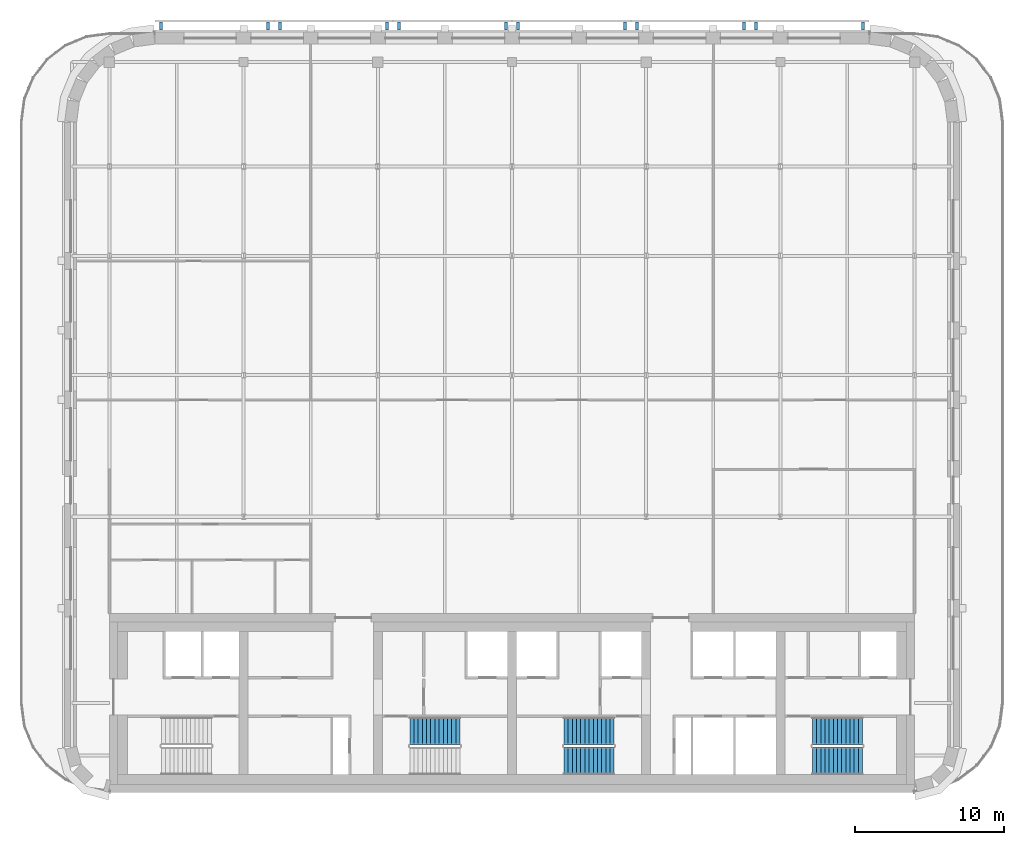
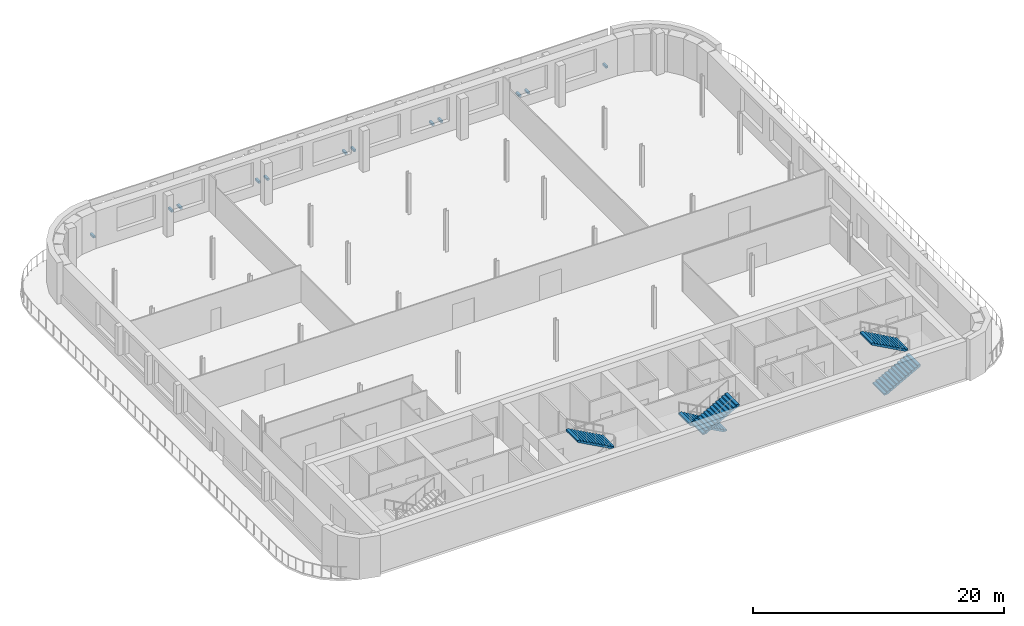
# One storey, part 10 of 13: 12 discrete accessories, 5 stair flights, 3 elements without a shape of their own.
"""IFC4 building model written with IfcOpenShell, lengths in metres."""

from ifc_helpers import new_model, si_unit, direction, frame, origin, origin_2d, place, context, subcontext, project, spatial, polyline, rectangle, outline, extrude, material, type_object, element, aggregate, save


model = new_model("IFC4")

# Units and contexts
model_context = context("Model", 3, precision=1e-05, world=origin(), true_north=direction((0.0, 1.0)))
body_context = subcontext(model_context, "Body", "Model", "MODEL_VIEW")
ifc_project = project(units=[si_unit("LENGTHUNIT", "METRE"), si_unit("AREAUNIT", "SQUARE_METRE"), si_unit("VOLUMEUNIT", "CUBIC_METRE"), si_unit("PLANEANGLEUNIT", "RADIAN"), si_unit("MASSUNIT", "GRAM", prefix="KILO")], contexts=[model_context])

# Site, building, storey
site_placement = place(None, origin())
site = spatial("IfcSite", under=ifc_project, at=site_placement, CompositionType="ELEMENT")
building_placement = place(site_placement, origin())
building = spatial("IfcBuilding", under=site, at=building_placement, Name="Zellij Exchange Tower", CompositionType="ELEMENT")
storey_placement = place(building_placement, frame((0.0, 0.0, 292.5)))
storey = spatial("IfcBuildingStorey", under=building, at=storey_placement, Name="L69", CompositionType="ELEMENT", Elevation=292.5)

# Stair, stair flight
ifc_material_1 = material(Name="Concrete C40/50", Category="concrete")
stair_type = type_object("IfcStairType", Name="CORE-ST exit stair 1850 wide", PredefinedType="HALF_TURN_STAIR", material=ifc_material_1)
stair_1_placement = place(storey_placement, origin())
stair_1 = element("IfcStair", 1, at=stair_1_placement, inside=storey, type_object=stair_type, Name="L69 exit stair ST2", PredefinedType="HALF_TURN_STAIR")
stair_flight_type = type_object("IfcStairFlightType", Name="CORE-SF flight 1850 riser 153.8 going 280", PredefinedType="STRAIGHT", material=ifc_material_1)
stair_flight_1_placement = place(storey_placement, frame((-3.489990234375, -9.875, 2.0), z_axis=(0.0, 0.0, 1.0), x_axis=(-1.0, 0.0, 0.0)))
stair_flight_1 = element("IfcStairFlight", 2, at=stair_flight_1_placement, type_object=stair_flight_type, Name="ST2 flight 2", NumberOfRisers=13, NumberOfTreads=12, PredefinedType="STRAIGHT", RiserHeight=0.153846154, TreadLength=0.28, context=body_context, shape_type="SweptSolid", body=[
    extrude(outline(polyline([(0.0, 0.0), (0.0, 0.15380859375), (0.280029296875, 0.15380859375), (0.280029296875, 0.3076171875), (0.56005859375, 0.3076171875), (0.56005859375, 0.46142578125), (0.840087890625, 0.46142578125), (0.840087890625, 0.615478515625), (1.1201171875, 0.615478515625), (1.1201171875, 0.769287109375), (1.39990234375, 0.769287109375), (1.39990234375, 0.923095703125), (1.679931640625, 0.923095703125), (1.679931640625, 1.076904296875), (1.9599609375, 1.076904296875), (1.9599609375, 1.230712890625), (2.239990234375, 1.230712890625), (2.239990234375, 1.384521484375), (2.52001953125, 1.384521484375), (2.52001953125, 1.53857421875), (2.800048828125, 1.53857421875), (2.800048828125, 1.6923828125), (3.080078125, 1.6923828125), (3.080078125, 1.84619140625), (3.360107421875, 1.84619140625), (3.360107421875, 2.0), (3.360107421875, 1.675048828125), (0.311279296875, 0.0), (0.0, 0.0)])), frame((0.0, 0.925048828125, 0.0), z_axis=(0.0, -1.0, 0.0), x_axis=(1.0, 0.0, 0.0)), (0.0, 0.0, 1.0), 1.85009765625),
])
aggregate(stair_1, [stair_flight_1])

# Stair, stair flights
stair_2_placement = place(storey_placement, origin())
stair_2 = element("IfcStair", 3, at=stair_2_placement, inside=storey, type_object=stair_type, Name="L69 exit stair ST3", PredefinedType="HALF_TURN_STAIR")
stair_flight_2_placement = place(storey_placement, frame((6.85009765625, -9.875, 0.0), z_axis=(0.0, 0.0, 1.0), x_axis=(-1.0, 0.0, 0.0)))
stair_flight_2 = element("IfcStairFlight", 4, at=stair_flight_2_placement, type_object=stair_flight_type, Name="ST3 flight 1", NumberOfRisers=13, NumberOfTreads=12, PredefinedType="STRAIGHT", RiserHeight=0.153846154, TreadLength=0.28, context=body_context, shape_type="SweptSolid", body=[
    extrude(outline(polyline([(0.0, 0.0), (0.0, 0.15380859375), (0.280029296875, 0.15380859375), (0.280029296875, 0.3076171875), (0.56005859375, 0.3076171875), (0.56005859375, 0.46142578125), (0.840087890625, 0.46142578125), (0.840087890625, 0.615478515625), (1.1201171875, 0.615478515625), (1.1201171875, 0.769287109375), (1.39990234375, 0.769287109375), (1.39990234375, 0.923095703125), (1.679931640625, 0.923095703125), (1.679931640625, 1.076904296875), (1.9599609375, 1.076904296875), (1.9599609375, 1.230712890625), (2.239990234375, 1.230712890625), (2.239990234375, 1.384521484375), (2.52001953125, 1.384521484375), (2.52001953125, 1.53857421875), (2.800048828125, 1.53857421875), (2.800048828125, 1.6923828125), (3.080078125, 1.6923828125), (3.080078125, 1.84619140625), (3.360107421875, 1.84619140625), (3.360107421875, 2.0), (3.360107421875, 1.675048828125), (0.311279296875, 0.0), (0.0, 0.0)])), frame((0.0, 0.925048828125, 0.0), z_axis=(0.0, -1.0, 0.0), x_axis=(1.0, 0.0, 0.0)), (0.0, 0.0, 1.0), 1.85009765625),
])
stair_flight_3_placement = place(storey_placement, frame((3.489990234375, -11.875, 2.0), z_axis=(0.0, 0.0, 1.0), x_axis=(1.0, 0.0, 0.0)))
stair_flight_3 = element("IfcStairFlight", 5, at=stair_flight_3_placement, type_object=stair_flight_type, Name="ST3 flight 2", NumberOfRisers=13, NumberOfTreads=12, PredefinedType="STRAIGHT", RiserHeight=0.153846154, TreadLength=0.28, context=body_context, shape_type="SweptSolid", body=[
    extrude(outline(polyline([(0.0, 0.0), (0.0, 0.15380859375), (0.280029296875, 0.15380859375), (0.280029296875, 0.3076171875), (0.56005859375, 0.3076171875), (0.56005859375, 0.46142578125), (0.840087890625, 0.46142578125), (0.840087890625, 0.615478515625), (1.1201171875, 0.615478515625), (1.1201171875, 0.769287109375), (1.39990234375, 0.769287109375), (1.39990234375, 0.923095703125), (1.679931640625, 0.923095703125), (1.679931640625, 1.076904296875), (1.9599609375, 1.076904296875), (1.9599609375, 1.230712890625), (2.239990234375, 1.230712890625), (2.239990234375, 1.384521484375), (2.52001953125, 1.384521484375), (2.52001953125, 1.53857421875), (2.800048828125, 1.53857421875), (2.800048828125, 1.6923828125), (3.080078125, 1.6923828125), (3.080078125, 1.84619140625), (3.360107421875, 1.84619140625), (3.360107421875, 2.0), (3.360107421875, 1.675048828125), (0.311279296875, 0.0), (0.0, 0.0)])), frame((0.0, 0.925048828125, 0.0), z_axis=(0.0, -1.0, 0.0), x_axis=(1.0, 0.0, 0.0)), (0.0, 0.0, 1.0), 1.85009765625),
])
aggregate(stair_2, [stair_flight_2, stair_flight_3])

stair_3_placement = place(storey_placement, origin())
stair_3 = element("IfcStair", 6, at=stair_3_placement, inside=storey, type_object=stair_type, Name="L69 exit stair ST4", PredefinedType="HALF_TURN_STAIR")
stair_flight_4_placement = place(storey_placement, frame((20.14990234375, -11.875, 0.0), z_axis=(0.0, 0.0, 1.0), x_axis=(1.0, 0.0, 0.0)))
stair_flight_4 = element("IfcStairFlight", 7, at=stair_flight_4_placement, type_object=stair_flight_type, Name="ST4 flight 1", NumberOfRisers=13, NumberOfTreads=12, PredefinedType="STRAIGHT", RiserHeight=0.153846154, TreadLength=0.28, context=body_context, shape_type="SweptSolid", body=[
    extrude(outline(polyline([(0.0, 0.0), (0.0, 0.15380859375), (0.280029296875, 0.15380859375), (0.280029296875, 0.3076171875), (0.56005859375, 0.3076171875), (0.56005859375, 0.46142578125), (0.840087890625, 0.46142578125), (0.840087890625, 0.615478515625), (1.1201171875, 0.615478515625), (1.1201171875, 0.769287109375), (1.39990234375, 0.769287109375), (1.39990234375, 0.923095703125), (1.679931640625, 0.923095703125), (1.679931640625, 1.076904296875), (1.9599609375, 1.076904296875), (1.9599609375, 1.230712890625), (2.239990234375, 1.230712890625), (2.239990234375, 1.384521484375), (2.52001953125, 1.384521484375), (2.52001953125, 1.53857421875), (2.800048828125, 1.53857421875), (2.800048828125, 1.6923828125), (3.080078125, 1.6923828125), (3.080078125, 1.84619140625), (3.360107421875, 1.84619140625), (3.360107421875, 2.0), (3.360107421875, 1.675048828125), (0.311279296875, 0.0), (0.0, 0.0)])), frame((0.0, 0.925048828125, 0.0), z_axis=(0.0, -1.0, 0.0), x_axis=(1.0, 0.0, 0.0)), (0.0, 0.0, 1.0), 1.85009765625),
])
stair_flight_5_placement = place(storey_placement, frame((23.510009765625, -9.875, 2.0), z_axis=(0.0, 0.0, 1.0), x_axis=(-1.0, 0.0, 0.0)))
stair_flight_5 = element("IfcStairFlight", 8, at=stair_flight_5_placement, type_object=stair_flight_type, Name="ST4 flight 2", NumberOfRisers=13, NumberOfTreads=12, PredefinedType="STRAIGHT", RiserHeight=0.153846154, TreadLength=0.28, context=body_context, shape_type="SweptSolid", body=[
    extrude(outline(polyline([(0.0, 0.0), (0.0, 0.15380859375), (0.280029296875, 0.15380859375), (0.280029296875, 0.3076171875), (0.56005859375, 0.3076171875), (0.56005859375, 0.46142578125), (0.840087890625, 0.46142578125), (0.840087890625, 0.615478515625), (1.1201171875, 0.615478515625), (1.1201171875, 0.769287109375), (1.39990234375, 0.769287109375), (1.39990234375, 0.923095703125), (1.679931640625, 0.923095703125), (1.679931640625, 1.076904296875), (1.9599609375, 1.076904296875), (1.9599609375, 1.230712890625), (2.239990234375, 1.230712890625), (2.239990234375, 1.384521484375), (2.52001953125, 1.384521484375), (2.52001953125, 1.53857421875), (2.800048828125, 1.53857421875), (2.800048828125, 1.6923828125), (3.080078125, 1.6923828125), (3.080078125, 1.84619140625), (3.360107421875, 1.84619140625), (3.360107421875, 2.0), (3.360107421875, 1.675048828125), (0.311279296875, 0.0), (0.0, 0.0)])), frame((0.0, 0.925048828125, 0.0), z_axis=(0.0, -1.0, 0.0), x_axis=(1.0, 0.0, 0.0)), (0.0, 0.0, 1.0), 1.85009765625),
])
aggregate(stair_3, [stair_flight_4, stair_flight_5])

# Discrete accessories
ifc_material_2 = material(Name="Stainless steel", Category="steel")
discrete_accessory_type = type_object("IfcDiscreteAccessoryType", Name="ENV-BR1 Stone panel bracket 200", PredefinedType="USERDEFINED", material=ifc_material_2)
for number, where, z_axis, x_axis, name in (
    (9, (23.547607421875, 37.425048828125, 0.2998046875), (0.0, 0.0, 1.0), (-1.0, 0.0, 0.0), "Panel bracket"),
    (10, (16.364990234375, 37.425048828125, 0.2998046875), (0.0, 0.0, 1.0), (-1.0, 0.0, 0.0), "Panel bracket"),
    (11, (15.565185546875, 37.425048828125, 0.2998046875), (0.0, 0.0, 1.0), (-1.0, 0.0, 0.0), "Panel bracket"),
    (12, (8.382568359375, 37.425048828125, 0.2998046875), (0.0, 0.0, 1.0), (-1.0, 0.0, 0.0), "Panel bracket"),
    (13, (7.58251953125, 37.425048828125, 0.2998046875), (0.0, 0.0, 1.0), (-1.0, 0.0, 0.0), "Panel bracket"),
    (14, (0.39990234375, 37.425048828125, 0.2998046875), (0.0, 0.0, 1.0), (-1.0, 0.0, 0.0), "Panel bracket"),
    (15, (-0.39990234375, 37.425048828125, 0.2998046875), (0.0, 0.0, 1.0), (-1.0, 0.0, 0.0), "Panel bracket"),
    (16, (-7.58251953125, 37.425048828125, 0.2998046875), (0.0, 0.0, 1.0), (-1.0, 0.0, 0.0), "Panel bracket"),
    (17, (-8.382568359375, 37.425048828125, 0.2998046875), (0.0, 0.0, 1.0), (-1.0, 0.0, 0.0), "Panel bracket"),
    (18, (-15.565185546875, 37.425048828125, 0.2998046875), (0.0, 0.0, 1.0), (-1.0, 0.0, 0.0), "Panel bracket"),
    (19, (-16.364990234375, 37.425048828125, 0.2998046875), (0.0, 0.0, 1.0), (-1.0, 0.0, 0.0), "Panel bracket"),
    (20, (-23.547607421875, 37.425048828125, 0.2998046875), (0.0, 0.0, 1.0), (-1.0, 0.0, 0.0), "Panel bracket"),
):
    element("IfcDiscreteAccessory", number, at=place(storey_placement, frame(where, z_axis=z_axis, x_axis=x_axis)), inside=storey, type_object=discrete_accessory_type, Name=name, ObjectType="BRACKET", PredefinedType="USERDEFINED", context=body_context, shape_type="SweptSolid", body=[
        extrude(rectangle(XDim=0.199951171875, YDim=0.550048828125, at=origin_2d()), origin(), (0.0, 0.0, 1.0), 0.199951171875),
    ])

save(model, "model.ifc")
